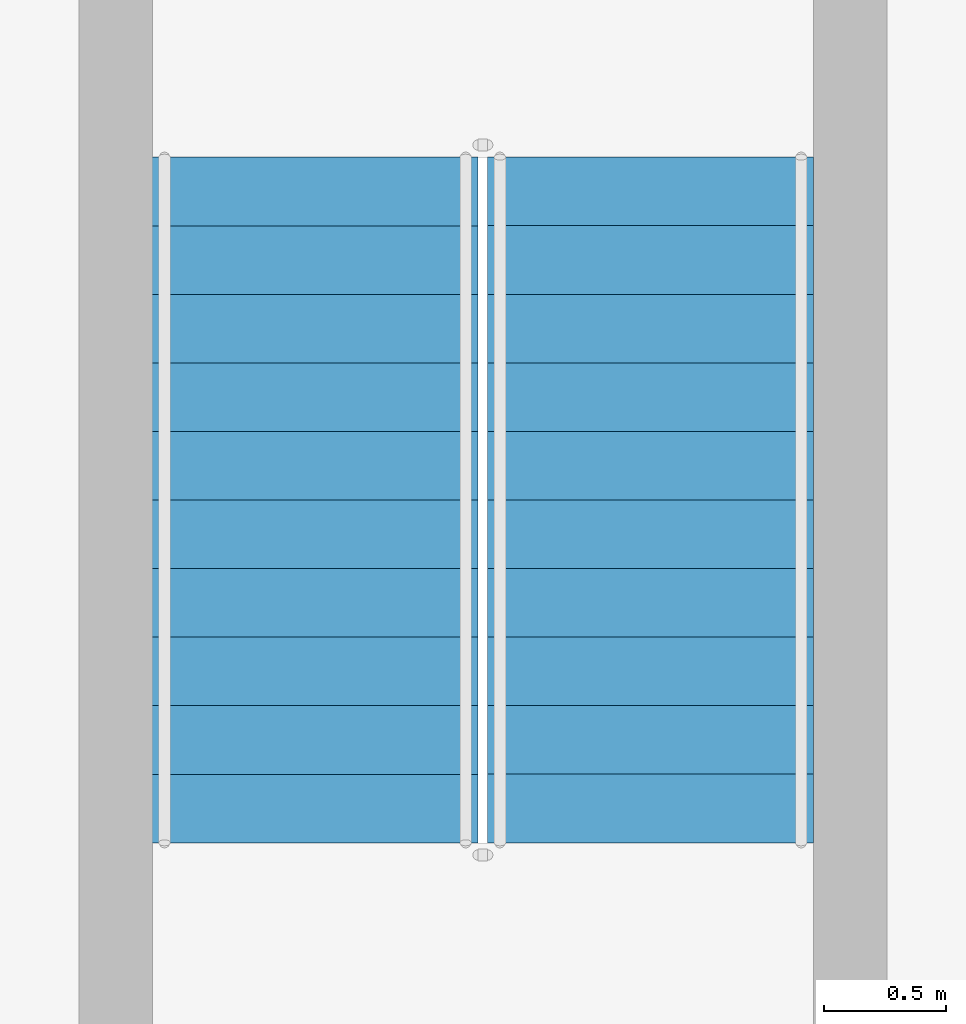
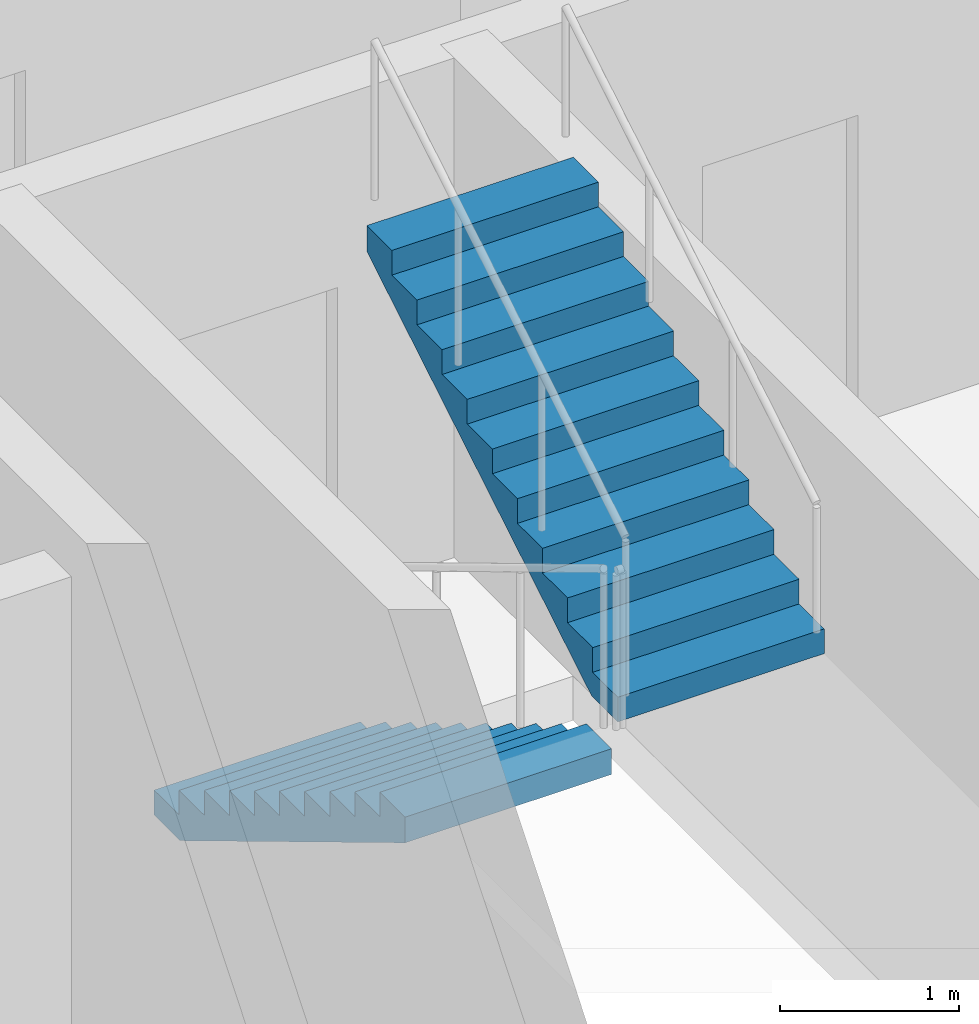
# One storey, part 25 of 32: 2 stair flights, 1 element without a shape of its own.
"""IFC4 building model written with IfcOpenShell, lengths in metres."""

from ifc_helpers import new_model, si_unit, direction, frame, origin, place, context, subcontext, project, spatial, triangles, source, transform, mapped, material, type_object, element, aggregate, save


model = new_model("IFC4")

# Units and contexts
model_context = context("Model", 3, precision=1e-05, world=origin(), true_north=direction((0.0, 1.0)))
body_context = subcontext(model_context, "Body", "Model", "MODEL_VIEW")
ifc_project = project(units=[si_unit("LENGTHUNIT", "METRE"), si_unit("AREAUNIT", "SQUARE_METRE"), si_unit("VOLUMEUNIT", "CUBIC_METRE"), si_unit("PLANEANGLEUNIT", "RADIAN"), si_unit("MASSUNIT", "GRAM", prefix="KILO")], contexts=[model_context])

# Site, building, storey
site_placement = place(None, origin())
site = spatial("IfcSite", under=ifc_project, at=site_placement, CompositionType="ELEMENT")
building_placement = place(site_placement, origin())
building = spatial("IfcBuilding", under=site, at=building_placement, Name="Ogive Portal Towers", CompositionType="ELEMENT")
storey_placement = place(building_placement, frame((0.0, 0.0, 55.699951171875)))
storey = spatial("IfcBuildingStorey", under=building, at=storey_placement, Name="L12", CompositionType="ELEMENT", Elevation=55.699951171875)

# Stair, stair flights
ifc_material = material(Name="Concrete C40/50", Category="concrete")
stair_type = type_object("IfcStairType", Name="INT-STAIR", PredefinedType="HALF_TURN_STAIR", material=ifc_material)
stair_placement = place(storey_placement, origin())
stair = element("IfcStair", 1, at=stair_placement, inside=storey, type_object=stair_type, Name="L12 Exit Stair ST-A4", PredefinedType="HALF_TURN_STAIR")
stair_flight_type = type_object("IfcStairFlightType", Name="INT-FLIGHT", PredefinedType="STRAIGHT", material=ifc_material)
shared_shape = source(origin(), body_context, "Body", "Tessellation", [
    triangles([(0.0, -0.6650390625, 0.0), (0.0, -0.384765625, 0.0), (0.0, -0.197021484375, 0.0), (0.0, -0.0830078125, 0.0), (0.0, -0.024658203125, 0.0), (0.0, -0.003173828125, 0.0), (0.0, 0.0, 0.0), (0.0, 0.003173828125, 0.0), (0.0, 0.024658203125, 0.0), (0.0, 0.0830078125, 0.0), (0.0, 0.197021484375, 0.0), (0.0, 0.384765625, 0.0), (0.0, 0.6650390625, 0.0), (0.0, -0.6650390625, 0.168212890625), (0.0, -0.384765625, 0.168212890625), (0.0, -0.197021484375, 0.168212890625), (0.0, -0.0830078125, 0.168212890625), (0.0, -0.024658203125, 0.168212890625), (0.0, -0.003173828125, 0.168212890625), (0.0, 0.0, 0.168212890625), (0.0, 0.003173828125, 0.168212890625), (0.0, 0.024658203125, 0.168212890625), (0.0, 0.0830078125, 0.168212890625), (0.0, 0.197021484375, 0.168212890625), (0.0, 0.384765625, 0.168212890625), (0.0, 0.6650390625, 0.168212890625), (0.280029296875, -0.6650390625, 0.168212890625), (0.280029296875, -0.384765625, 0.168212890625), (0.280029296875, -0.197021484375, 0.168212890625), (0.280029296875, -0.0830078125, 0.168212890625), (0.280029296875, -0.024658203125, 0.168212890625), (0.280029296875, -0.003173828125, 0.168212890625), (0.280029296875, 0.0, 0.168212890625), (0.280029296875, 0.003173828125, 0.168212890625), (0.280029296875, 0.024658203125, 0.168212890625), (0.280029296875, 0.0830078125, 0.168212890625), (0.280029296875, 0.197021484375, 0.168212890625), (0.280029296875, 0.384765625, 0.168212890625), (0.280029296875, 0.6650390625, 0.168212890625), (0.280029296875, -0.6650390625, 0.33642578125), (0.280029296875, -0.384765625, 0.33642578125), (0.280029296875, -0.197021484375, 0.33642578125), (0.280029296875, -0.0830078125, 0.33642578125), (0.280029296875, -0.024658203125, 0.33642578125), (0.280029296875, -0.003173828125, 0.33642578125), (0.280029296875, 0.0, 0.33642578125), (0.280029296875, 0.003173828125, 0.33642578125), (0.280029296875, 0.024658203125, 0.33642578125), (0.280029296875, 0.0830078125, 0.33642578125), (0.280029296875, 0.197021484375, 0.33642578125), (0.280029296875, 0.384765625, 0.33642578125), (0.280029296875, 0.6650390625, 0.33642578125), (0.56005859375, -0.6650390625, 0.33642578125), (0.56005859375, -0.384765625, 0.33642578125), (0.56005859375, -0.197021484375, 0.33642578125), (0.56005859375, -0.0830078125, 0.33642578125), (0.56005859375, -0.024658203125, 0.33642578125), (0.56005859375, -0.003173828125, 0.33642578125), (0.56005859375, 0.0, 0.33642578125), (0.56005859375, 0.003173828125, 0.33642578125), (0.56005859375, 0.024658203125, 0.33642578125), (0.56005859375, 0.0830078125, 0.33642578125), (0.56005859375, 0.197021484375, 0.33642578125), (0.56005859375, 0.384765625, 0.33642578125), (0.56005859375, 0.6650390625, 0.33642578125), (0.56005859375, -0.6650390625, 0.504638671875), (0.56005859375, -0.384765625, 0.504638671875), (0.56005859375, -0.197021484375, 0.504638671875), (0.56005859375, -0.0830078125, 0.504638671875), (0.56005859375, -0.024658203125, 0.504638671875), (0.56005859375, -0.003173828125, 0.504638671875), (0.56005859375, 0.0, 0.504638671875), (0.56005859375, 0.003173828125, 0.504638671875), (0.56005859375, 0.024658203125, 0.504638671875), (0.56005859375, 0.0830078125, 0.504638671875), (0.56005859375, 0.197021484375, 0.504638671875), (0.56005859375, 0.384765625, 0.504638671875), (0.56005859375, 0.6650390625, 0.504638671875), (0.840087890625, -0.6650390625, 0.504638671875), (0.840087890625, -0.384765625, 0.504638671875), (0.840087890625, -0.197021484375, 0.504638671875), (0.840087890625, -0.0830078125, 0.504638671875), (0.840087890625, -0.024658203125, 0.504638671875), (0.840087890625, -0.003173828125, 0.504638671875), (0.840087890625, 0.0, 0.504638671875), (0.840087890625, 0.003173828125, 0.504638671875), (0.840087890625, 0.024658203125, 0.504638671875), (0.840087890625, 0.0830078125, 0.504638671875), (0.840087890625, 0.197021484375, 0.504638671875), (0.840087890625, 0.384765625, 0.504638671875), (0.840087890625, 0.6650390625, 0.504638671875), (0.840087890625, -0.6650390625, 0.672607421875), (0.840087890625, -0.384765625, 0.672607421875), (0.840087890625, -0.197021484375, 0.672607421875), (0.840087890625, -0.0830078125, 0.672607421875), (0.840087890625, -0.024658203125, 0.672607421875), (0.840087890625, -0.003173828125, 0.672607421875), (0.840087890625, 0.0, 0.672607421875), (0.840087890625, 0.003173828125, 0.672607421875), (0.840087890625, 0.024658203125, 0.672607421875), (0.840087890625, 0.0830078125, 0.672607421875), (0.840087890625, 0.197021484375, 0.672607421875), (0.840087890625, 0.384765625, 0.672607421875), (0.840087890625, 0.6650390625, 0.672607421875), (1.1201171875, -0.6650390625, 0.672607421875), (1.1201171875, -0.384765625, 0.672607421875), (1.1201171875, -0.197021484375, 0.672607421875), (1.1201171875, -0.0830078125, 0.672607421875), (1.1201171875, -0.024658203125, 0.672607421875), (1.1201171875, -0.003173828125, 0.672607421875), (1.1201171875, 0.0, 0.672607421875), (1.1201171875, 0.003173828125, 0.672607421875), (1.1201171875, 0.024658203125, 0.672607421875), (1.1201171875, 0.0830078125, 0.672607421875), (1.1201171875, 0.197021484375, 0.672607421875), (1.1201171875, 0.384765625, 0.672607421875), (1.1201171875, 0.6650390625, 0.672607421875), (1.1201171875, -0.6650390625, 0.8408203125), (1.1201171875, -0.384765625, 0.8408203125), (1.1201171875, -0.197021484375, 0.8408203125), (1.1201171875, -0.0830078125, 0.8408203125), (1.1201171875, -0.024658203125, 0.8408203125), (1.1201171875, -0.003173828125, 0.8408203125), (1.1201171875, 0.0, 0.8408203125), (1.1201171875, 0.003173828125, 0.8408203125), (1.1201171875, 0.024658203125, 0.8408203125), (1.1201171875, 0.0830078125, 0.8408203125), (1.1201171875, 0.197021484375, 0.8408203125), (1.1201171875, 0.384765625, 0.8408203125), (1.1201171875, 0.6650390625, 0.8408203125), (1.39990234375, -0.6650390625, 0.8408203125), (1.39990234375, -0.384765625, 0.8408203125), (1.39990234375, -0.197021484375, 0.8408203125), (1.39990234375, -0.0830078125, 0.8408203125), (1.39990234375, -0.024658203125, 0.8408203125), (1.39990234375, -0.003173828125, 0.8408203125), (1.39990234375, 0.0, 0.8408203125), (1.39990234375, 0.003173828125, 0.8408203125), (1.39990234375, 0.024658203125, 0.8408203125), (1.39990234375, 0.0830078125, 0.8408203125), (1.39990234375, 0.197021484375, 0.8408203125), (1.39990234375, 0.384765625, 0.8408203125), (1.39990234375, 0.6650390625, 0.8408203125), (1.39990234375, -0.6650390625, 1.009033203125), (1.39990234375, -0.384765625, 1.009033203125), (1.39990234375, -0.197021484375, 1.009033203125), (1.39990234375, -0.0830078125, 1.009033203125), (1.39990234375, -0.024658203125, 1.009033203125), (1.39990234375, -0.003173828125, 1.009033203125), (1.39990234375, 0.0, 1.009033203125), (1.39990234375, 0.003173828125, 1.009033203125), (1.39990234375, 0.024658203125, 1.009033203125), (1.39990234375, 0.0830078125, 1.009033203125), (1.39990234375, 0.197021484375, 1.009033203125), (1.39990234375, 0.384765625, 1.009033203125), (1.39990234375, 0.6650390625, 1.009033203125), (1.679931640625, -0.6650390625, 1.009033203125), (1.679931640625, -0.384765625, 1.009033203125), (1.679931640625, -0.197021484375, 1.009033203125), (1.679931640625, -0.0830078125, 1.009033203125), (1.679931640625, -0.024658203125, 1.009033203125), (1.679931640625, -0.003173828125, 1.009033203125), (1.679931640625, 0.0, 1.009033203125), (1.679931640625, 0.003173828125, 1.009033203125), (1.679931640625, 0.024658203125, 1.009033203125), (1.679931640625, 0.0830078125, 1.009033203125), (1.679931640625, 0.197021484375, 1.009033203125), (1.679931640625, 0.384765625, 1.009033203125), (1.679931640625, 0.6650390625, 1.009033203125), (1.679931640625, -0.6650390625, 1.17724609375), (1.679931640625, -0.384765625, 1.17724609375), (1.679931640625, -0.197021484375, 1.17724609375), (1.679931640625, -0.0830078125, 1.17724609375), (1.679931640625, -0.024658203125, 1.17724609375), (1.679931640625, -0.003173828125, 1.17724609375), (1.679931640625, 0.0, 1.17724609375), (1.679931640625, 0.003173828125, 1.17724609375), (1.679931640625, 0.024658203125, 1.17724609375), (1.679931640625, 0.0830078125, 1.17724609375), (1.679931640625, 0.197021484375, 1.17724609375), (1.679931640625, 0.384765625, 1.17724609375), (1.679931640625, 0.6650390625, 1.17724609375), (1.9599609375, -0.6650390625, 1.17724609375), (1.9599609375, -0.384765625, 1.17724609375), (1.9599609375, -0.197021484375, 1.17724609375), (1.9599609375, -0.0830078125, 1.17724609375), (1.9599609375, -0.024658203125, 1.17724609375), (1.9599609375, -0.003173828125, 1.17724609375), (1.9599609375, 0.0, 1.17724609375), (1.9599609375, 0.003173828125, 1.17724609375), (1.9599609375, 0.024658203125, 1.17724609375), (1.9599609375, 0.0830078125, 1.17724609375), (1.9599609375, 0.197021484375, 1.17724609375), (1.9599609375, 0.384765625, 1.17724609375), (1.9599609375, 0.6650390625, 1.17724609375), (1.9599609375, -0.6650390625, 1.345458984375), (1.9599609375, -0.384765625, 1.345458984375), (1.9599609375, -0.197021484375, 1.345458984375), (1.9599609375, -0.0830078125, 1.345458984375), (1.9599609375, -0.024658203125, 1.345458984375), (1.9599609375, -0.003173828125, 1.345458984375), (1.9599609375, 0.0, 1.345458984375), (1.9599609375, 0.003173828125, 1.345458984375), (1.9599609375, 0.024658203125, 1.345458984375), (1.9599609375, 0.0830078125, 1.345458984375), (1.9599609375, 0.197021484375, 1.345458984375), (1.9599609375, 0.384765625, 1.345458984375), (1.9599609375, 0.6650390625, 1.345458984375), (2.239990234375, -0.6650390625, 1.345458984375), (2.239990234375, -0.384765625, 1.345458984375), (2.239990234375, -0.197021484375, 1.345458984375), (2.239990234375, -0.0830078125, 1.345458984375), (2.239990234375, -0.024658203125, 1.345458984375), (2.239990234375, -0.003173828125, 1.345458984375), (2.239990234375, 0.0, 1.345458984375), (2.239990234375, 0.003173828125, 1.345458984375), (2.239990234375, 0.024658203125, 1.345458984375), (2.239990234375, 0.0830078125, 1.345458984375), (2.239990234375, 0.197021484375, 1.345458984375), (2.239990234375, 0.384765625, 1.345458984375), (2.239990234375, 0.6650390625, 1.345458984375), (2.239990234375, -0.6650390625, 1.513671875), (2.239990234375, -0.384765625, 1.513671875), (2.239990234375, -0.197021484375, 1.513671875), (2.239990234375, -0.0830078125, 1.513671875), (2.239990234375, -0.024658203125, 1.513671875), (2.239990234375, -0.003173828125, 1.513671875), (2.239990234375, 0.0, 1.513671875), (2.239990234375, 0.003173828125, 1.513671875), (2.239990234375, 0.024658203125, 1.513671875), (2.239990234375, 0.0830078125, 1.513671875), (2.239990234375, 0.197021484375, 1.513671875), (2.239990234375, 0.384765625, 1.513671875), (2.239990234375, 0.6650390625, 1.513671875), (2.52001953125, -0.6650390625, 1.513671875), (2.52001953125, -0.384765625, 1.513671875), (2.52001953125, -0.197021484375, 1.513671875), (2.52001953125, -0.0830078125, 1.513671875), (2.52001953125, -0.024658203125, 1.513671875), (2.52001953125, -0.003173828125, 1.513671875), (2.52001953125, 0.0, 1.513671875), (2.52001953125, 0.003173828125, 1.513671875), (2.52001953125, 0.024658203125, 1.513671875), (2.52001953125, 0.0830078125, 1.513671875), (2.52001953125, 0.197021484375, 1.513671875), (2.52001953125, 0.384765625, 1.513671875), (2.52001953125, 0.6650390625, 1.513671875), (2.52001953125, -0.6650390625, 1.681884765625), (2.52001953125, -0.384765625, 1.681884765625), (2.52001953125, -0.197021484375, 1.681884765625), (2.52001953125, -0.0830078125, 1.681884765625), (2.52001953125, -0.024658203125, 1.681884765625), (2.52001953125, -0.003173828125, 1.681884765625), (2.52001953125, 0.0, 1.681884765625), (2.52001953125, 0.003173828125, 1.681884765625), (2.52001953125, 0.024658203125, 1.681884765625), (2.52001953125, 0.0830078125, 1.681884765625), (2.52001953125, 0.197021484375, 1.681884765625), (2.52001953125, 0.384765625, 1.681884765625), (2.52001953125, 0.6650390625, 1.681884765625), (2.800048828125, -0.6650390625, 1.681884765625), (2.800048828125, -0.384765625, 1.681884765625), (2.800048828125, -0.197021484375, 1.681884765625), (2.800048828125, -0.0830078125, 1.681884765625), (2.800048828125, -0.024658203125, 1.681884765625), (2.800048828125, -0.003173828125, 1.681884765625), (2.800048828125, 0.0, 1.681884765625), (2.800048828125, 0.003173828125, 1.681884765625), (2.800048828125, 0.024658203125, 1.681884765625), (2.800048828125, 0.0830078125, 1.681884765625), (2.800048828125, 0.197021484375, 1.681884765625), (2.800048828125, 0.384765625, 1.681884765625), (2.800048828125, 0.6650390625, 1.681884765625), (2.800048828125, -0.6650390625, 1.5068359375), (2.800048828125, -0.384765625, 1.5068359375), (2.800048828125, -0.197021484375, 1.5068359375), (2.800048828125, -0.0830078125, 1.5068359375), (2.800048828125, -0.024658203125, 1.5068359375), (2.800048828125, -0.003173828125, 1.5068359375), (2.800048828125, 0.0, 1.5068359375), (2.800048828125, 0.003173828125, 1.5068359375), (2.800048828125, 0.024658203125, 1.5068359375), (2.800048828125, 0.0830078125, 1.5068359375), (2.800048828125, 0.197021484375, 1.5068359375), (2.800048828125, 0.384765625, 1.5068359375), (2.800048828125, 0.6650390625, 1.5068359375), (0.291015625, -0.6650390625, 0.0), (0.291015625, -0.384765625, 0.0), (0.291015625, -0.197021484375, 0.0), (0.291015625, -0.0830078125, 0.0), (0.291015625, -0.024658203125, 0.0), (0.291015625, -0.003173828125, 0.0), (0.291015625, 0.0, 0.0), (0.291015625, 0.003173828125, 0.0), (0.291015625, 0.024658203125, 0.0), (0.291015625, 0.0830078125, 0.0), (0.291015625, 0.197021484375, 0.0), (0.291015625, 0.384765625, 0.0), (0.291015625, 0.6650390625, 0.0)], [[1, 14, 15], [1, 15, 2], [2, 15, 16], [2, 16, 3], [3, 16, 17], [3, 17, 4], [4, 17, 18], [4, 18, 5], [5, 18, 19], [5, 19, 6], [6, 19, 20], [6, 20, 7], [7, 20, 21], [7, 21, 8], [8, 21, 22], [8, 22, 9], [9, 22, 23], [9, 23, 10], [10, 23, 24], [10, 24, 11], [11, 24, 25], [11, 25, 12], [12, 25, 26], [12, 26, 13], [14, 27, 28], [14, 28, 15], [15, 28, 29], [15, 29, 16], [16, 29, 30], [16, 30, 17], [17, 30, 31], [17, 31, 18], [18, 31, 32], [18, 32, 19], [19, 32, 33], [19, 33, 20], [20, 33, 34], [20, 34, 21], [21, 34, 35], [21, 35, 22], [22, 35, 36], [22, 36, 23], [23, 36, 37], [23, 37, 24], [24, 37, 38], [24, 38, 25], [25, 38, 39], [25, 39, 26], [27, 40, 41], [27, 41, 28], [28, 41, 42], [28, 42, 29], [29, 42, 43], [29, 43, 30], [30, 43, 44], [30, 44, 31], [31, 44, 45], [31, 45, 32], [32, 45, 46], [32, 46, 33], [33, 46, 47], [33, 47, 34], [34, 47, 48], [34, 48, 35], [35, 48, 49], [35, 49, 36], [36, 49, 50], [36, 50, 37], [37, 50, 51], [37, 51, 38], [38, 51, 52], [38, 52, 39], [40, 53, 54], [40, 54, 41], [41, 54, 55], [41, 55, 42], [42, 55, 56], [42, 56, 43], [43, 56, 57], [43, 57, 44], [44, 57, 58], [44, 58, 45], [45, 58, 59], [45, 59, 46], [46, 59, 60], [46, 60, 47], [47, 60, 61], [47, 61, 48], [48, 61, 62], [48, 62, 49], [49, 62, 63], [49, 63, 50], [50, 63, 64], [50, 64, 51], [51, 64, 65], [51, 65, 52], [53, 66, 67], [53, 67, 54], [54, 67, 68], [54, 68, 55], [55, 68, 69], [55, 69, 56], [56, 69, 70], [56, 70, 57], [57, 70, 71], [57, 71, 58], [58, 71, 72], [58, 72, 59], [59, 72, 73], [59, 73, 60], [60, 73, 74], [60, 74, 61], [61, 74, 75], [61, 75, 62], [62, 75, 76], [62, 76, 63], [63, 76, 77], [63, 77, 64], [64, 77, 78], [64, 78, 65], [66, 79, 80], [66, 80, 67], [67, 80, 81], [67, 81, 68], [68, 81, 82], [68, 82, 69], [69, 82, 83], [69, 83, 70], [70, 83, 84], [70, 84, 71], [71, 84, 85], [71, 85, 72], [72, 85, 86], [72, 86, 73], [73, 86, 87], [73, 87, 74], [74, 87, 88], [74, 88, 75], [75, 88, 89], [75, 89, 76], [76, 89, 90], [76, 90, 77], [77, 90, 91], [77, 91, 78], [79, 92, 93], [79, 93, 80], [80, 93, 94], [80, 94, 81], [81, 94, 95], [81, 95, 82], [82, 95, 96], [82, 96, 83], [83, 96, 97], [83, 97, 84], [84, 97, 98], [84, 98, 85], [85, 98, 99], [85, 99, 86], [86, 99, 100], [86, 100, 87], [87, 100, 101], [87, 101, 88], [88, 101, 102], [88, 102, 89], [89, 102, 103], [89, 103, 90], [90, 103, 104], [90, 104, 91], [92, 105, 106], [92, 106, 93], [93, 106, 107], [93, 107, 94], [94, 107, 108], [94, 108, 95], [95, 108, 109], [95, 109, 96], [96, 109, 110], [96, 110, 97], [97, 110, 111], [97, 111, 98], [98, 111, 112], [98, 112, 99], [99, 112, 113], [99, 113, 100], [100, 113, 114], [100, 114, 101], [101, 114, 115], [101, 115, 102], [102, 115, 116], [102, 116, 103], [103, 116, 117], [103, 117, 104], [105, 118, 119], [105, 119, 106], [106, 119, 120], [106, 120, 107], [107, 120, 121], [107, 121, 108], [108, 121, 122], [108, 122, 109], [109, 122, 123], [109, 123, 110], [110, 123, 124], [110, 124, 111], [111, 124, 125], [111, 125, 112], [112, 125, 126], [112, 126, 113], [113, 126, 127], [113, 127, 114], [114, 127, 128], [114, 128, 115], [115, 128, 129], [115, 129, 116], [116, 129, 130], [116, 130, 117], [118, 131, 132], [118, 132, 119], [119, 132, 133], [119, 133, 120], [120, 133, 134], [120, 134, 121], [121, 134, 135], [121, 135, 122], [122, 135, 136], [122, 136, 123], [123, 136, 137], [123, 137, 124], [124, 137, 138], [124, 138, 125], [125, 138, 139], [125, 139, 126], [126, 139, 140], [126, 140, 127], [127, 140, 141], [127, 141, 128], [128, 141, 142], [128, 142, 129], [129, 142, 143], [129, 143, 130], [131, 144, 145], [131, 145, 132], [132, 145, 146], [132, 146, 133], [133, 146, 147], [133, 147, 134], [134, 147, 148], [134, 148, 135], [135, 148, 149], [135, 149, 136], [136, 149, 150], [136, 150, 137], [137, 150, 151], [137, 151, 138], [138, 151, 152], [138, 152, 139], [139, 152, 153], [139, 153, 140], [140, 153, 154], [140, 154, 141], [141, 154, 155], [141, 155, 142], [142, 155, 156], [142, 156, 143], [144, 157, 158], [144, 158, 145], [145, 158, 159], [145, 159, 146], [146, 159, 160], [146, 160, 147], [147, 160, 161], [147, 161, 148], [148, 161, 162], [148, 162, 149], [149, 162, 163], [149, 163, 150], [150, 163, 164], [150, 164, 151], [151, 164, 165], [151, 165, 152], [152, 165, 166], [152, 166, 153], [153, 166, 167], [153, 167, 154], [154, 167, 168], [154, 168, 155], [155, 168, 169], [155, 169, 156], [157, 170, 171], [157, 171, 158], [158, 171, 172], [158, 172, 159], [159, 172, 173], [159, 173, 160], [160, 173, 174], [160, 174, 161], [161, 174, 175], [161, 175, 162], [162, 175, 176], [162, 176, 163], [163, 176, 177], [163, 177, 164], [164, 177, 178], [164, 178, 165], [165, 178, 179], [165, 179, 166], [166, 179, 180], [166, 180, 167], [167, 180, 181], [167, 181, 168], [168, 181, 182], [168, 182, 169], [170, 183, 184], [170, 184, 171], [171, 184, 185], [171, 185, 172], [172, 185, 186], [172, 186, 173], [173, 186, 187], [173, 187, 174], [174, 187, 188], [174, 188, 175], [175, 188, 189], [175, 189, 176], [176, 189, 190], [176, 190, 177], [177, 190, 191], [177, 191, 178], [178, 191, 192], [178, 192, 179], [179, 192, 193], [179, 193, 180], [180, 193, 194], [180, 194, 181], [181, 194, 195], [181, 195, 182], [183, 196, 197], [183, 197, 184], [184, 197, 198], [184, 198, 185], [185, 198, 199], [185, 199, 186], [186, 199, 200], [186, 200, 187], [187, 200, 201], [187, 201, 188], [188, 201, 202], [188, 202, 189], [189, 202, 203], [189, 203, 190], [190, 203, 204], [190, 204, 191], [191, 204, 205], [191, 205, 192], [192, 205, 206], [192, 206, 193], [193, 206, 207], [193, 207, 194], [194, 207, 208], [194, 208, 195], [196, 209, 210], [196, 210, 197], [197, 210, 211], [197, 211, 198], [198, 211, 212], [198, 212, 199], [199, 212, 213], [199, 213, 200], [200, 213, 214], [200, 214, 201], [201, 214, 215], [201, 215, 202], [202, 215, 216], [202, 216, 203], [203, 216, 217], [203, 217, 204], [204, 217, 218], [204, 218, 205], [205, 218, 219], [205, 219, 206], [206, 219, 220], [206, 220, 207], [207, 220, 221], [207, 221, 208], [209, 222, 223], [209, 223, 210], [210, 223, 224], [210, 224, 211], [211, 224, 225], [211, 225, 212], [212, 225, 226], [212, 226, 213], [213, 226, 227], [213, 227, 214], [214, 227, 228], [214, 228, 215], [215, 228, 229], [215, 229, 216], [216, 229, 230], [216, 230, 217], [217, 230, 231], [217, 231, 218], [218, 231, 232], [218, 232, 219], [219, 232, 233], [219, 233, 220], [220, 233, 234], [220, 234, 221], [222, 235, 236], [222, 236, 223], [223, 236, 237], [223, 237, 224], [224, 237, 238], [224, 238, 225], [225, 238, 239], [225, 239, 226], [226, 239, 240], [226, 240, 227], [227, 240, 241], [227, 241, 228], [228, 241, 242], [228, 242, 229], [229, 242, 243], [229, 243, 230], [230, 243, 244], [230, 244, 231], [231, 244, 245], [231, 245, 232], [232, 245, 246], [232, 246, 233], [233, 246, 247], [233, 247, 234], [235, 248, 249], [235, 249, 236], [236, 249, 250], [236, 250, 237], [237, 250, 251], [237, 251, 238], [238, 251, 252], [238, 252, 239], [239, 252, 253], [239, 253, 240], [240, 253, 254], [240, 254, 241], [241, 254, 255], [241, 255, 242], [242, 255, 256], [242, 256, 243], [243, 256, 257], [243, 257, 244], [244, 257, 258], [244, 258, 245], [245, 258, 259], [245, 259, 246], [246, 259, 260], [246, 260, 247], [248, 261, 262], [248, 262, 249], [249, 262, 263], [249, 263, 250], [250, 263, 264], [250, 264, 251], [251, 264, 265], [251, 265, 252], [252, 265, 266], [252, 266, 253], [253, 266, 267], [253, 267, 254], [254, 267, 268], [254, 268, 255], [255, 268, 269], [255, 269, 256], [256, 269, 270], [256, 270, 257], [257, 270, 271], [257, 271, 258], [258, 271, 272], [258, 272, 259], [259, 272, 273], [259, 273, 260], [261, 274, 275], [261, 275, 262], [262, 275, 276], [262, 276, 263], [263, 276, 277], [263, 277, 264], [264, 277, 278], [264, 278, 265], [265, 278, 279], [265, 279, 266], [266, 279, 280], [266, 280, 267], [267, 280, 281], [267, 281, 268], [268, 281, 282], [268, 282, 269], [269, 282, 283], [269, 283, 270], [270, 283, 284], [270, 284, 271], [271, 284, 285], [271, 285, 272], [272, 285, 286], [272, 286, 273], [274, 287, 288], [274, 288, 275], [275, 288, 289], [275, 289, 276], [276, 289, 290], [276, 290, 277], [277, 290, 291], [277, 291, 278], [278, 291, 292], [278, 292, 279], [279, 292, 293], [279, 293, 280], [280, 293, 294], [280, 294, 281], [281, 294, 295], [281, 295, 282], [282, 295, 296], [282, 296, 283], [283, 296, 297], [283, 297, 284], [284, 297, 298], [284, 298, 285], [285, 298, 299], [285, 299, 286], [287, 1, 2], [287, 2, 288], [288, 2, 3], [288, 3, 289], [289, 3, 4], [289, 4, 290], [290, 4, 5], [290, 5, 291], [291, 5, 6], [291, 6, 292], [292, 6, 7], [292, 7, 293], [293, 7, 8], [293, 8, 294], [294, 8, 9], [294, 9, 295], [295, 9, 10], [295, 10, 296], [296, 10, 11], [296, 11, 297], [297, 11, 12], [297, 12, 298], [298, 12, 13], [298, 13, 299], [1, 287, 274], [13, 286, 299], [274, 261, 248], [286, 260, 273], [274, 248, 235], [286, 247, 260], [274, 235, 222], [286, 234, 247], [274, 222, 209], [286, 221, 234], [209, 196, 183], [221, 195, 208], [274, 209, 183], [286, 195, 221], [183, 170, 157], [195, 169, 182], [274, 183, 157], [286, 169, 195], [157, 144, 131], [169, 143, 156], [274, 157, 131], [286, 143, 169], [131, 118, 105], [143, 117, 130], [274, 131, 105], [286, 117, 143], [1, 274, 105], [13, 117, 286], [105, 92, 79], [117, 91, 104], [79, 66, 53], [91, 65, 78], [105, 79, 53], [117, 65, 91], [53, 40, 27], [65, 39, 52], [105, 53, 27], [117, 39, 65], [1, 105, 27], [13, 39, 117], [27, 14, 1], [39, 13, 26]], closed=True),
])
stair_flight_1_placement = place(storey_placement, frame((87.6650390625, 29.169921875, 0.0), z_axis=(0.0, 0.0, 1.0), x_axis=(0.0, -1.0, 0.0)))
stair_flight_1 = element("IfcStairFlight", 2, at=stair_flight_1_placement, type_object=stair_flight_type, Name="ST-A4 flight 1", NumberOfRisers=11, NumberOfTreads=10, PredefinedType="STRAIGHT", RiserHeight=0.168181818, TreadLength=0.28, context=body_context, shape_type="MappedRepresentation", body=[
    mapped(shared_shape, transform((0.0, 0.0, 0.0), scale=1.0)),
])
stair_flight_2_placement = place(storey_placement, frame((89.034912109375, 26.3701171875, 1.85009765625), z_axis=(0.0, 0.0, 1.0), x_axis=(0.0, 1.0, 0.0)))
stair_flight_2 = element("IfcStairFlight", 3, at=stair_flight_2_placement, type_object=stair_flight_type, Name="ST-A4 flight 2", NumberOfRisers=11, NumberOfTreads=10, PredefinedType="STRAIGHT", RiserHeight=0.168181818, TreadLength=0.28, context=body_context, shape_type="MappedRepresentation", body=[
    mapped(shared_shape, transform((0.0, 0.0, 0.0), scale=1.0)),
])
aggregate(stair, [stair_flight_1, stair_flight_2])

save(model, "model.ifc")
